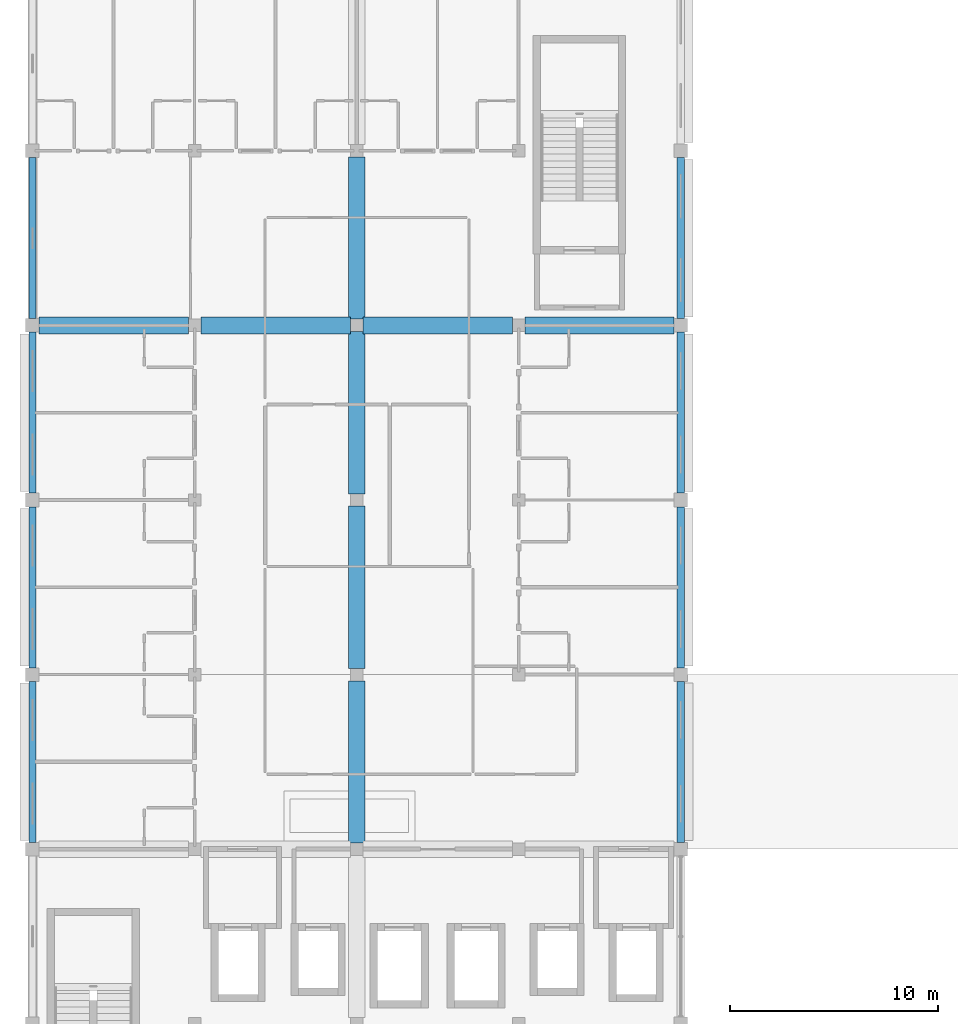
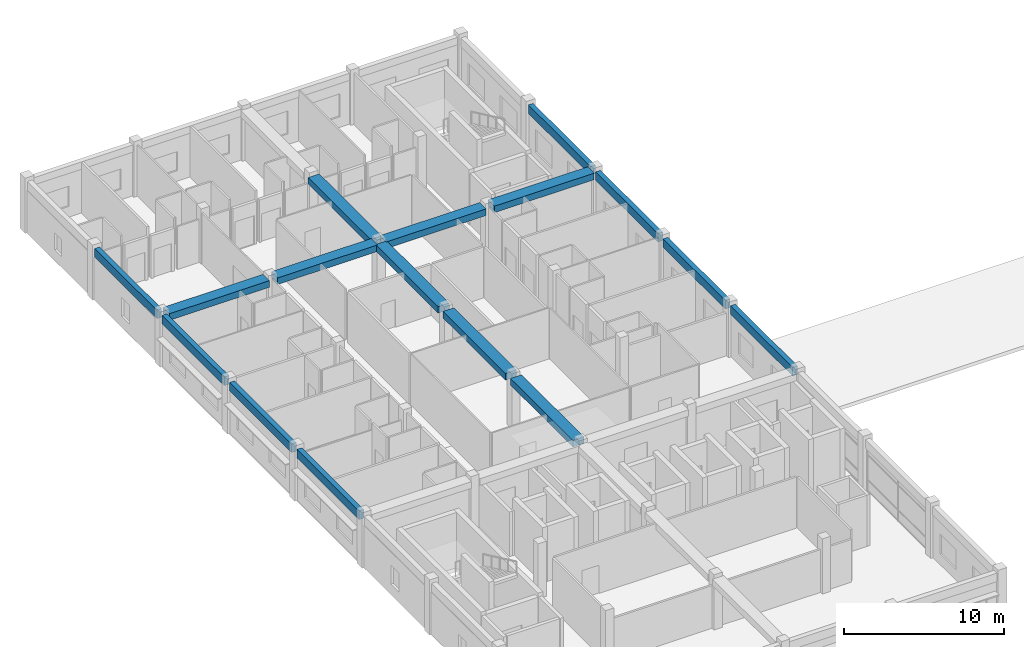
# One storey, part 7 of 32: 16 beams.
"""IFC4 building model written with IfcOpenShell, lengths in metres."""

import ifcopenshell
import ifcopenshell.guid

model = None  # the IFC model being written
_history = None  # IfcOwnerHistory: only IFC2X3 demands one
_inside = {}  # id of a spatial element -> (the spatial element, [elements in it])
_under = {}  # id of a project, library or spatial element -> (it, [spatial elements below it])
_declared = {}  # id of a project -> (the project, [libraries it declares])
_typed = {}  # id of a type object -> (the type object, [elements of that type])
_made_of = {}  # id of a material, layer set ... -> (it, [elements and type objects made of it])


def new_model(schema):
    """Start an empty IFC model of exactly this schema.

    Asked for "IFC4X3", IfcOpenShell would pick the latest addendum, in which some entities
    have other attributes; the version numbers below select the first issue.
    IFC2X3 requires an IfcOwnerHistory on every rooted entity: one is made here for all.
    """
    global model, _history
    if schema == "IFC4X3":
        model = ifcopenshell.file(schema_version=(4, 3, 0, 0))
    else:
        model = ifcopenshell.file(schema=schema)
    _inside.clear()
    _under.clear()
    _declared.clear()
    _typed.clear()
    _made_of.clear()
    _history = None
    if model.schema == "IFC2X3":
        org = make("IfcOrganization", Name="unknown")
        user = make(
            "IfcPersonAndOrganization",
            ThePerson=make("IfcPerson", FamilyName="unknown"),
            TheOrganization=org,
        )
        app = make(
            "IfcApplication",
            ApplicationDeveloper=org,
            Version="unknown",
            ApplicationFullName="unknown",
            ApplicationIdentifier="unknown",
        )
        _history = make(
            "IfcOwnerHistory",
            OwningUser=user,
            OwningApplication=app,
            ChangeAction="ADDED",
            CreationDate=0,
        )
    return model


def make(cls, **values):
    """One entity of the class cls with the attributes given. An attribute that is None is left unset."""
    return model.create_entity(
        cls, **{name: value for name, value in values.items() if value is not None}
    )


def rooted(cls, **values):
    """An entity with a GlobalId (a new one), such as an element, a storey or a relation."""
    return make(cls, GlobalId=ifcopenshell.guid.new(), OwnerHistory=_history, **values)


def si_unit(unit_type, name, prefix=None):
    """IfcSIUnit, for example si_unit("LENGTHUNIT", "METRE", prefix="MILLI")."""
    return make("IfcSIUnit", UnitType=unit_type, Prefix=prefix, Name=name)


def assignment(units):
    """IfcUnitAssignment: the units of a project."""
    return None if units is None else make("IfcUnitAssignment", Units=units)


def point(xyz):
    """IfcCartesianPoint."""
    return None if xyz is None else make("IfcCartesianPoint", Coordinates=xyz)


def direction(xyz):
    """IfcDirection."""
    return None if xyz is None else make("IfcDirection", DirectionRatios=xyz)


def frame(location, z_axis=None, x_axis=None):
    """IfcAxis2Placement3D, a coordinate frame: its origin and axes. An axis left out is left unset."""
    return make(
        "IfcAxis2Placement3D",
        Location=point(location),
        Axis=direction(z_axis),
        RefDirection=direction(x_axis),
    )


def frame_2d(location, x_axis=None):
    """IfcAxis2Placement2D, a coordinate frame in the plane: its origin and x axis."""
    return make(
        "IfcAxis2Placement2D", Location=point(location), RefDirection=direction(x_axis)
    )


def origin():
    """The frame at (0, 0, 0) with its axes left unset."""
    return frame((0.0, 0.0, 0.0))


def origin_2d():
    """The frame at (0, 0) in the plane with its x axis left unset."""
    return frame_2d((0.0, 0.0))


def place(relative_to, where):
    """IfcLocalPlacement: puts the frame where relative to a parent placement (None: the world)."""
    return make(
        "IfcLocalPlacement", PlacementRelTo=relative_to, RelativePlacement=where
    )


def context(
    kind, dimensions, precision=None, world=None, true_north=None, identifier=None
):
    """IfcGeometricRepresentationContext, for example the 3D "Model" context."""
    return make(
        "IfcGeometricRepresentationContext",
        ContextIdentifier=identifier,
        ContextType=kind,
        CoordinateSpaceDimension=dimensions,
        Precision=precision,
        WorldCoordinateSystem=world,
        TrueNorth=true_north,
    )


def subcontext(parent, identifier, kind, view, scale=None):
    """IfcGeometricRepresentationSubContext, for example "Body" below "Model"."""
    return make(
        "IfcGeometricRepresentationSubContext",
        ContextIdentifier=identifier,
        ContextType=kind,
        ParentContext=parent,
        TargetScale=scale,
        TargetView=view,
    )


def project(units=None, contexts=None):
    """IfcProject with its units and contexts."""
    return rooted(
        "IfcProject",
        Name="project",
        RepresentationContexts=contexts,
        UnitsInContext=assignment(units),
    )


def spatial(cls, under=None, at=None, **own):
    """A site, building, storey or space (cls), placed at a placement, below another one or the project."""
    s = rooted(cls, ObjectPlacement=at, **own)
    if under is not None:
        _under.setdefault(under.id(), (under, []))[1].append(s)
    return s


def profile(cls, at=None, kind="AREA", **sizes):
    """A parametric profile (cls). Its sizes go by their IFC names, for example OverallWidth=200.0."""
    return make(cls, ProfileType=kind, Position=at, **sizes)


def rectangle(**sizes):
    """IfcRectangleProfileDef."""
    return profile("IfcRectangleProfileDef", **sizes)


def extrude(swept, where, along, depth):
    """IfcExtrudedAreaSolid: the profile swept, set in the frame where, extruded along a direction by depth."""
    return make(
        "IfcExtrudedAreaSolid",
        SweptArea=swept,
        Position=where,
        ExtrudedDirection=direction(along),
        Depth=depth,
    )


def shape(context_of_items, identifier, shape_type, items):
    """IfcShapeRepresentation: the items that make up one representation, for example the "Body"."""
    return make(
        "IfcShapeRepresentation",
        ContextOfItems=context_of_items,
        RepresentationIdentifier=identifier,
        RepresentationType=shape_type,
        Items=items,
    )


def material(Name=None, Category=None):
    """IfcMaterial."""
    return make("IfcMaterial", Name=Name, Category=Category)


def material_profile(
    of_material, cross_section, Name=None, Category=None, Priority=None
):
    """IfcMaterialProfile: a cross section and its material."""
    return make(
        "IfcMaterialProfile",
        Name=Name,
        Material=of_material,
        Profile=cross_section,
        Priority=Priority,
        Category=Category,
    )


def profile_set(profiles, Name=None, composite=None):
    """IfcMaterialProfileSet."""
    return make(
        "IfcMaterialProfileSet",
        Name=Name,
        MaterialProfiles=profiles,
        CompositeProfile=composite,
    )


def made_of(thing, what):
    """Note that an element or type object is made of a material, layer set ...; save() writes the relation."""
    if what is not None:
        _made_of.setdefault(what.id(), (what, []))[1].append(thing)
    return thing


def type_object(cls, material=None, **own):
    """A type object (cls), such as IfcWallType, which elements share."""
    return made_of(rooted(cls, **own), material)


def element(
    cls,
    number,
    at=None,
    inside=None,
    cuts=None,
    type_object=None,
    material=None,
    context=None,
    identifier="Body",
    shape_type=None,
    held_by="IfcProductDefinitionShape",
    body=None,
    shapes=None,
    **own,
):
    """One element of the class cls, such as IfcWall. Its Tag is "e" and its number.

    at: its placement. inside: the storey or other place that contains it. cuts: it is an
    opening in that element (IfcRelVoidsElement). A single representation is given by context,
    identifier, shape_type and body (its items); several are given by shapes. held_by: the class
    of the entity that holds the representations. save() writes the other relations.
    """
    e = rooted(cls, Tag="e%d" % number, ObjectPlacement=at, **own)
    if body is not None:
        shapes = [shape(context, identifier, shape_type, body)]
    if shapes is not None:
        e.Representation = make(held_by, Representations=shapes)
    if inside is not None:
        _inside.setdefault(inside.id(), (inside, []))[1].append(e)
    if cuts is not None:
        rooted(
            "IfcRelVoidsElement", RelatingBuildingElement=cuts, RelatedOpeningElement=e
        )
    if type_object is not None:
        _typed.setdefault(type_object.id(), (type_object, []))[1].append(e)
    return made_of(e, material)


def aggregate(whole, parts):
    """IfcRelAggregates: a whole, such as a stair, and the parts it consists of."""
    return rooted("IfcRelAggregates", RelatingObject=whole, RelatedObjects=parts)


def save(model, path):
    """Write the relations noted so far, then the file.

    IfcRelAggregates (storeys below a building ...), IfcRelContainedInSpatialStructure (elements
    in a storey), IfcRelDefinesByType, IfcRelAssociatesMaterial and IfcRelDeclares: one each for
    every whole, place, type object, material and project.
    """
    for whole, parts in _under.values():
        aggregate(whole, parts)
    for where, things in _inside.values():
        rooted(
            "IfcRelContainedInSpatialStructure",
            RelatedElements=things,
            RelatingStructure=where,
        )
    for kind, things in _typed.values():
        rooted("IfcRelDefinesByType", RelatedObjects=things, RelatingType=kind)
    for what, things in _made_of.values():
        rooted("IfcRelAssociatesMaterial", RelatedObjects=things, RelatingMaterial=what)
    for by, libraries in _declared.values():
        rooted("IfcRelDeclares", RelatingContext=by, RelatedDefinitions=libraries)
    model.write(path)


model = new_model("IFC4")

# Units and contexts
model_context = context("Model", 3, precision=1e-05, world=origin(), true_north=direction((0.0, 1.0)))
body_context = subcontext(model_context, "Body", "Model", "MODEL_VIEW")
ifc_project = project(units=[si_unit("LENGTHUNIT", "METRE"), si_unit("AREAUNIT", "SQUARE_METRE"), si_unit("VOLUMEUNIT", "CUBIC_METRE"), si_unit("PLANEANGLEUNIT", "RADIAN"), si_unit("MASSUNIT", "GRAM", prefix="KILO"), si_unit("THERMODYNAMICTEMPERATUREUNIT", "KELVIN"), si_unit("POWERUNIT", "WATT")], contexts=[model_context])

# Site, building, storey
site_placement = place(None, origin())
site = spatial("IfcSite", under=ifc_project, at=site_placement, CompositionType="ELEMENT")
building_placement = place(site_placement, origin())
building = spatial("IfcBuilding", under=site, at=building_placement, Name="Srebrne Nadtorze General Hospital", CompositionType="ELEMENT")
storey_placement = place(building_placement, frame((0.0, 0.0, 29.699951171875)))
storey = spatial("IfcBuildingStorey", under=building, at=storey_placement, Name="L07", CompositionType="ELEMENT", Elevation=29.699951171875)

# Beams
ifc_material_1 = material(Name="Concrete C35/45", Category="concrete")
ifc_material_profile_1 = material_profile(ifc_material_1, rectangle(XDim=0.35009765625, YDim=0.64990234375, at=origin_2d()), Name="RC-BM-350x650")
ifc_profile_set_1 = profile_set([ifc_material_profile_1], Name="Concrete C35/45")
beam_type_1 = type_object("IfcBeamType", Name="Edge beam RC 350x650", PredefinedType="BEAM", material=ifc_profile_set_1)
for number, where, z_axis, x_axis, name in (
    (1, (23.39990234375, 50.72509765625, 3.574951171875), (0.0, 1.0, 0.0), (-1.0, 0.0, 0.0), "Beam BM-L07-Y-1291"),
    (2, (23.39990234375, 59.125, 3.574951171875), (0.0, 1.0, 0.0), (-1.0, 0.0, 0.0), "Beam BM-L07-Y-1292"),
    (3, (23.39990234375, 67.52490234375, 3.574951171875), (0.0, 1.0, 0.0), (-1.0, 0.0, 0.0), "Beam BM-L07-Y-1293"),
    (4, (23.39990234375, 75.925048828125, 3.574951171875), (0.0, 1.0, 0.0), (-1.0, 0.0, 0.0), "Beam BM-L07-Y-1294"),
    (5, (54.60009765625, 50.72509765625, 3.574951171875), (0.0, 1.0, 0.0), (-1.0, 0.0, 0.0), "Beam BM-L07-Y-1307"),
    (6, (54.60009765625, 59.125, 3.574951171875), (0.0, 1.0, 0.0), (-1.0, 0.0, 0.0), "Beam BM-L07-Y-1308"),
    (7, (54.60009765625, 67.52490234375, 3.574951171875), (0.0, 1.0, 0.0), (-1.0, 0.0, 0.0), "Beam BM-L07-Y-1309"),
    (8, (54.60009765625, 75.925048828125, 3.574951171875), (0.0, 1.0, 0.0), (-1.0, 0.0, 0.0), "Beam BM-L07-Y-1310"),
):
    element("IfcBeam", number, at=place(storey_placement, frame(where, z_axis=z_axis, x_axis=x_axis)), inside=storey, type_object=beam_type_1, Name=name, PredefinedType="BEAM", context=body_context, shape_type="SweptSolid", body=[
        extrude(rectangle(XDim=0.35009765625, YDim=0.64990234375, at=origin_2d()), origin(), (0.0, 0.0, 1.0), 7.75),
    ])
ifc_material_2 = material(Name="Concrete C40/50", Category="concrete")
ifc_material_profile_2 = material_profile(ifc_material_2, rectangle(XDim=0.800048828125, YDim=0.5, at=origin_2d()), Name="RC-BM-800x500")
ifc_profile_set_2 = profile_set([ifc_material_profile_2], Name="Concrete C40/50")
beam_type_2 = type_object("IfcBeamType", Name="Primary beam RC 800x500", PredefinedType="BEAM", material=ifc_profile_set_2)
beam_1_placement = place(storey_placement, frame((23.72509765625, 75.60009765625, 3.650146484375), z_axis=(1.0, 0.0, 0.0), x_axis=(0.0, 1.0, 0.0)))
element("IfcBeam", 9, at=beam_1_placement, inside=storey, type_object=beam_type_2, Name="Beam BM-L07-X-1269", PredefinedType="BEAM", context=body_context, shape_type="SweptSolid", body=[
    extrude(rectangle(XDim=0.800048828125, YDim=0.5, at=origin_2d()), origin(), (0.0, 0.0, 1.0), 7.1748046875),
])
for number, where, z_axis, x_axis, name in (
    (10, (31.5, 75.60009765625, 3.650146484375), (1.0, 0.0, 0.0), (0.0, 1.0, 0.0), "Beam BM-L07-X-1270"),
    (11, (39.300048828125, 75.60009765625, 3.650146484375), (1.0, 0.0, 0.0), (0.0, 1.0, 0.0), "Beam BM-L07-X-1271"),
):
    element("IfcBeam", number, at=place(storey_placement, frame(where, z_axis=z_axis, x_axis=x_axis)), inside=storey, type_object=beam_type_2, Name=name, PredefinedType="BEAM", context=body_context, shape_type="SweptSolid", body=[
        extrude(rectangle(XDim=0.800048828125, YDim=0.5, at=origin_2d()), origin(), (0.0, 0.0, 1.0), 7.199951171875),
    ])
beam_2_placement = place(storey_placement, frame((47.10009765625, 75.60009765625, 3.650146484375), z_axis=(1.0, 0.0, 0.0), x_axis=(0.0, 1.0, 0.0)))
element("IfcBeam", 12, at=beam_2_placement, inside=storey, type_object=beam_type_2, Name="Beam BM-L07-X-1272", PredefinedType="BEAM", context=body_context, shape_type="SweptSolid", body=[
    extrude(rectangle(XDim=0.800048828125, YDim=0.5, at=origin_2d()), origin(), (0.0, 0.0, 1.0), 7.1748046875),
])
beam_3_placement = place(storey_placement, frame((39.0, 50.699951171875, 3.650146484375), z_axis=(0.0, 1.0, 0.0), x_axis=(-1.0, 0.0, 0.0)))
element("IfcBeam", 13, at=beam_3_placement, inside=storey, type_object=beam_type_2, Name="Beam BM-L07-Y-1299", PredefinedType="BEAM", context=body_context, shape_type="SweptSolid", body=[
    extrude(rectangle(XDim=0.800048828125, YDim=0.5, at=origin_2d()), origin(), (0.0, 0.0, 1.0), 7.800048828125),
])
beam_4_placement = place(storey_placement, frame((39.0, 59.10009765625, 3.650146484375), z_axis=(0.0, 1.0, 0.0), x_axis=(-1.0, 0.0, 0.0)))
element("IfcBeam", 14, at=beam_4_placement, inside=storey, type_object=beam_type_2, Name="Beam BM-L07-Y-1300", PredefinedType="BEAM", context=body_context, shape_type="SweptSolid", body=[
    extrude(rectangle(XDim=0.800048828125, YDim=0.5, at=origin_2d()), origin(), (0.0, 0.0, 1.0), 7.7998046875),
])
for number, where, z_axis, x_axis, name in (
    (15, (39.0, 67.5, 3.650146484375), (0.0, 1.0, 0.0), (-1.0, 0.0, 0.0), "Beam BM-L07-Y-1301"),
    (16, (39.0, 75.89990234375, 3.650146484375), (0.0, 1.0, 0.0), (-1.0, 0.0, 0.0), "Beam BM-L07-Y-1302"),
):
    element("IfcBeam", number, at=place(storey_placement, frame(where, z_axis=z_axis, x_axis=x_axis)), inside=storey, type_object=beam_type_2, Name=name, PredefinedType="BEAM", context=body_context, shape_type="SweptSolid", body=[
        extrude(rectangle(XDim=0.800048828125, YDim=0.5, at=origin_2d()), origin(), (0.0, 0.0, 1.0), 7.800048828125),
    ])

save(model, "model.ifc")
